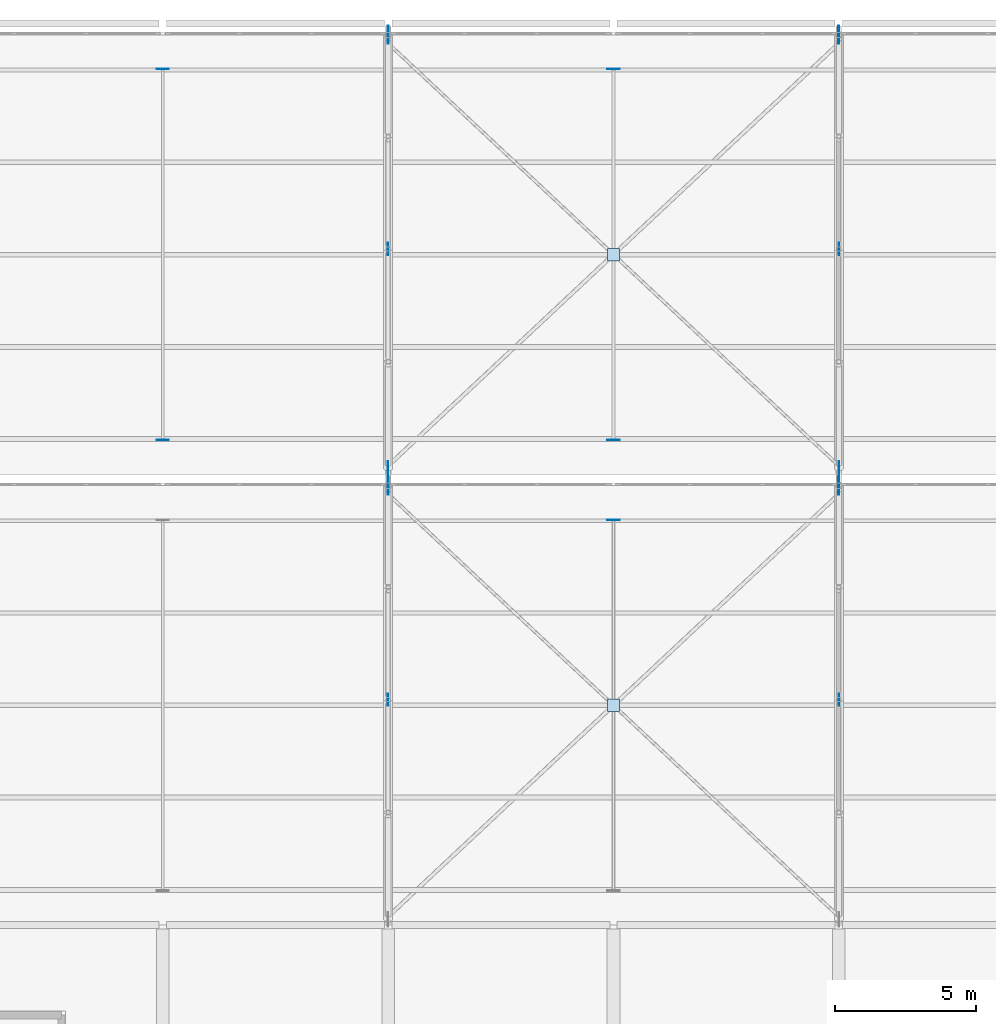
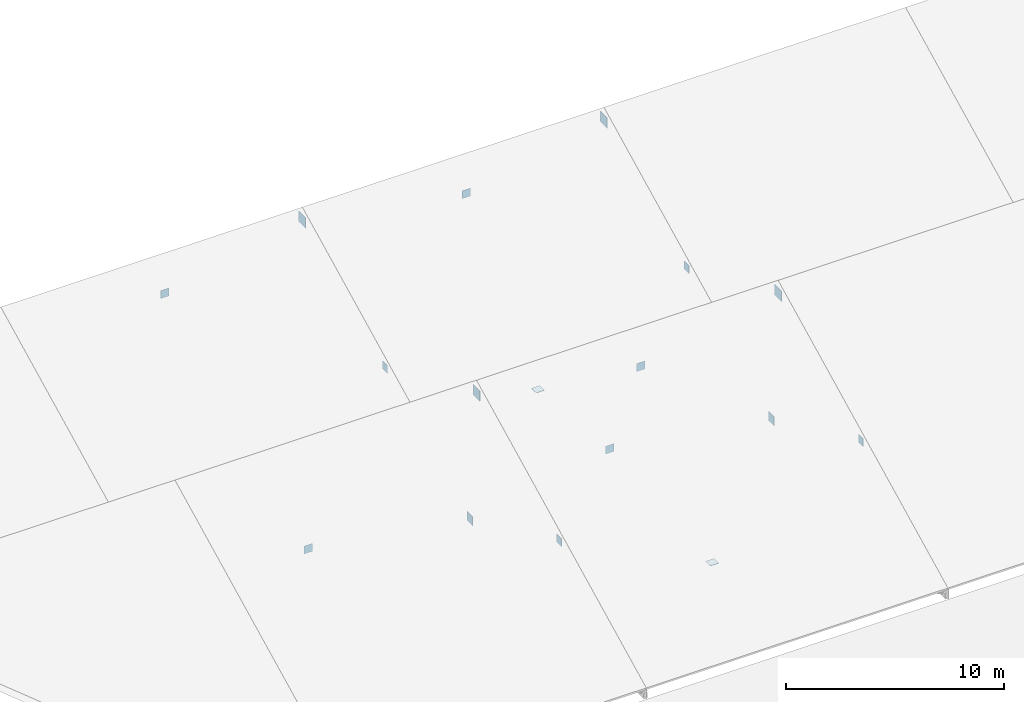
# One storey, part 103 of 137: 17 plates.
"""IFC4 building model written with IfcOpenShell, lengths in metres."""

from ifc_helpers import new_model, si_unit, direction, frame, origin, origin_2d, place, context, subcontext, project, spatial, rectangle, extrude, material, layer, layer_set, type_object, element, save


model = new_model("IFC4")

# Units and contexts
model_context = context("Model", 3, precision=1e-05, world=origin(), true_north=direction((0.0, 1.0)))
body_context = subcontext(model_context, "Body", "Model", "MODEL_VIEW")
ifc_project = project(units=[si_unit("LENGTHUNIT", "METRE"), si_unit("AREAUNIT", "SQUARE_METRE"), si_unit("VOLUMEUNIT", "CUBIC_METRE"), si_unit("PLANEANGLEUNIT", "RADIAN"), si_unit("MASSUNIT", "GRAM", prefix="KILO")], contexts=[model_context])

# Site, building, storey
site_placement = place(None, origin())
site = spatial("IfcSite", under=ifc_project, at=site_placement, CompositionType="ELEMENT")
building_placement = place(site_placement, origin())
building = spatial("IfcBuilding", under=site, at=building_placement, Name="Jelvoka-Kovrelna Polytechnic", CompositionType="ELEMENT")
storey_placement = place(building_placement, frame((0.0, 0.0, 9.60009765625)))
storey = spatial("IfcBuildingStorey", under=building, at=storey_placement, Name="L03", CompositionType="ELEMENT", Elevation=9.60009765625)

# Plates
ifc_material_1 = material(Name="Structural steel S355JR", Category="steel")
ifc_layer_1 = layer(ifc_material_1, 0.02392578125)
ifc_layer_set_1 = layer_set([ifc_layer_1], Name="Structural steel S355JR")
plate_type_1 = type_object("IfcPlateType", Name="Plate_Gusset_GP1", PredefinedType="SHEET", material=ifc_layer_set_1)
for number, where, z_axis, x_axis, name in (
    (1, (120.0, 104.199951171875, 0.056396484375), (0.0, 0.0, 1.0), (0.0, 1.0, 0.0), "Sawtooth truss 3 steel gusset node plate 016"),
    (2, (136.0, 104.199951171875, 0.056396484375), (0.0, 0.0, 1.0), (0.0, 1.0, 0.0), "Sawtooth truss 4 steel gusset node plate 022"),
):
    element("IfcPlate", number, at=place(storey_placement, frame(where, z_axis=z_axis, x_axis=x_axis)), inside=storey, type_object=plate_type_1, Name=name, PredefinedType="SHEET", context=body_context, shape_type="SweptSolid", body=[
        extrude(rectangle(XDim=0.52001953125, YDim=0.02392578125, at=origin_2d()), origin(), (0.0, 0.0, 1.0), 0.52001953125),
    ])
ifc_material_2 = material(Name="Structural steel S355JR", Category="steel")
ifc_layer_2 = layer(ifc_material_2, 0.028076171875)
ifc_layer_set_2 = layer_set([ifc_layer_2], Name="Structural steel S355JR")
plate_type_2 = type_object("IfcPlateType", Name="Plate_Gusset_GP2", PredefinedType="SHEET", material=ifc_layer_set_2)
for number, where, z_axis, x_axis, name in (
    (3, (120.0, 103.60009765625, 7.449951171875), (0.0, 0.0, 1.0), (0.0, 1.0, 0.0), "Sawtooth truss 3 steel gusset node plate 015"),
    (4, (120.0, 119.60009765625, 7.449951171875), (0.0, 0.0, 1.0), (0.0, 1.0, 0.0), "Sawtooth truss 3 steel gusset node plate 018"),
    (5, (136.0, 103.60009765625, 7.449951171875), (0.0, 0.0, 1.0), (0.0, 1.0, 0.0), "Sawtooth truss 4 steel gusset node plate 021"),
    (6, (136.0, 119.60009765625, 7.449951171875), (0.0, 0.0, 1.0), (0.0, 1.0, 0.0), "Sawtooth truss 4 steel gusset node plate 024"),
):
    element("IfcPlate", number, at=place(storey_placement, frame(where, z_axis=z_axis, x_axis=x_axis)), inside=storey, type_object=plate_type_2, Name=name, PredefinedType="SHEET", context=body_context, shape_type="SweptSolid", body=[
        extrude(rectangle(XDim=0.639892578125, YDim=0.028076171875, at=origin_2d()), origin(), (0.0, 0.0, 1.0), 0.580078125),
    ])
ifc_material_3 = material(Name="Structural steel S355JR", Category="steel")
ifc_layer_3 = layer(ifc_material_3, 0.02001953125)
ifc_layer_set_3 = layer_set([ifc_layer_3], Name="Structural steel S355JR")
plate_type_3 = type_object("IfcPlateType", Name="Plate_Gusset_GP3", PredefinedType="SHEET", material=ifc_layer_set_3)
for number, where, z_axis, x_axis, name in (
    (7, (120.0, 96.0, 3.8564453125), (0.0, 0.0, 1.0), (0.0, 1.0, 0.0), "Sawtooth truss 3 steel gusset node plate 014"),
    (8, (120.0, 112.0, 3.8564453125), (0.0, 0.0, 1.0), (0.0, 1.0, 0.0), "Sawtooth truss 3 steel gusset node plate 017"),
    (9, (136.0, 96.0, 3.8564453125), (0.0, 0.0, 1.0), (0.0, 1.0, 0.0), "Sawtooth truss 4 steel gusset node plate 020"),
    (10, (136.0, 112.0, 3.8564453125), (0.0, 0.0, 1.0), (0.0, 1.0, 0.0), "Sawtooth truss 4 steel gusset node plate 023"),
    (11, (112.0, 105.218017578125, 0.58642578125), (0.0, 0.0, 1.0), (1.0, 0.0, 0.0), "Sawtooth rafter 2.2 bot steel end cap plate 057"),
    (12, (112.0, 118.382080078125, 6.933349609375), (0.0, 0.0, 1.0), (1.0, 0.0, 0.0), "Sawtooth rafter 2.2 top steel end cap plate 058"),
    (13, (128.0, 102.382080078125, 6.933349609375), (0.0, 0.0, 1.0), (1.0, 0.0, 0.0), "Sawtooth rafter 3.1 top steel end cap plate 060"),
):
    element("IfcPlate", number, at=place(storey_placement, frame(where, z_axis=z_axis, x_axis=x_axis)), inside=storey, type_object=plate_type_3, Name=name, PredefinedType="SHEET", context=body_context, shape_type="SweptSolid", body=[
        extrude(rectangle(XDim=0.43994140625, YDim=0.02001953125, at=origin_2d()), origin(), (0.0, 0.0, 1.0), 0.43994140625),
    ])
plate_1_placement = place(storey_placement, frame((128.0, 95.800048828125, 0.139892578125), z_axis=(0.0, 0.0, 1.0), x_axis=(1.0, 0.0, 0.0)))
element("IfcPlate", 14, at=plate_1_placement, inside=storey, type_object=plate_type_3, Name="Sawtooth roof X-brace crossing gusset plate 0061", PredefinedType="SHEET", context=body_context, shape_type="SweptSolid", body=[
    extrude(rectangle(XDim=0.43994140625, YDim=0.43994140625, at=origin_2d()), origin(), (0.0, 0.0, 1.0), 0.02001953125),
])
for number, where, z_axis, x_axis, name in (
    (15, (128.0, 105.218017578125, 0.58642578125), (0.0, 0.0, 1.0), (1.0, 0.0, 0.0), "Sawtooth rafter 3.2 bot steel end cap plate 062"),
    (16, (128.0, 118.382080078125, 6.933349609375), (0.0, 0.0, 1.0), (1.0, 0.0, 0.0), "Sawtooth rafter 3.2 top steel end cap plate 063"),
):
    element("IfcPlate", number, at=place(storey_placement, frame(where, z_axis=z_axis, x_axis=x_axis)), inside=storey, type_object=plate_type_3, Name=name, PredefinedType="SHEET", context=body_context, shape_type="SweptSolid", body=[
        extrude(rectangle(XDim=0.43994140625, YDim=0.02001953125, at=origin_2d()), origin(), (0.0, 0.0, 1.0), 0.43994140625),
    ])
plate_2_placement = place(storey_placement, frame((128.0, 111.800048828125, 0.139892578125), z_axis=(0.0, 0.0, 1.0), x_axis=(1.0, 0.0, 0.0)))
element("IfcPlate", 17, at=plate_2_placement, inside=storey, type_object=plate_type_3, Name="Sawtooth roof X-brace crossing gusset plate 0064", PredefinedType="SHEET", context=body_context, shape_type="SweptSolid", body=[
    extrude(rectangle(XDim=0.43994140625, YDim=0.43994140625, at=origin_2d()), origin(), (0.0, 0.0, 1.0), 0.02001953125),
])

save(model, "model.ifc")
